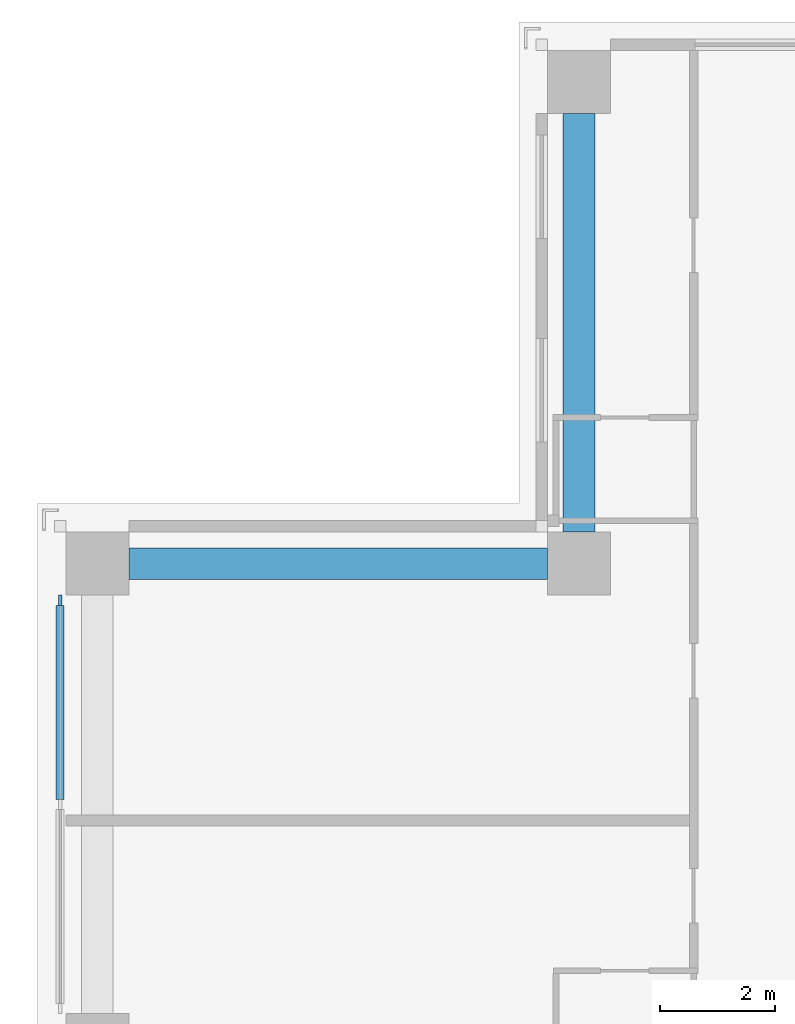
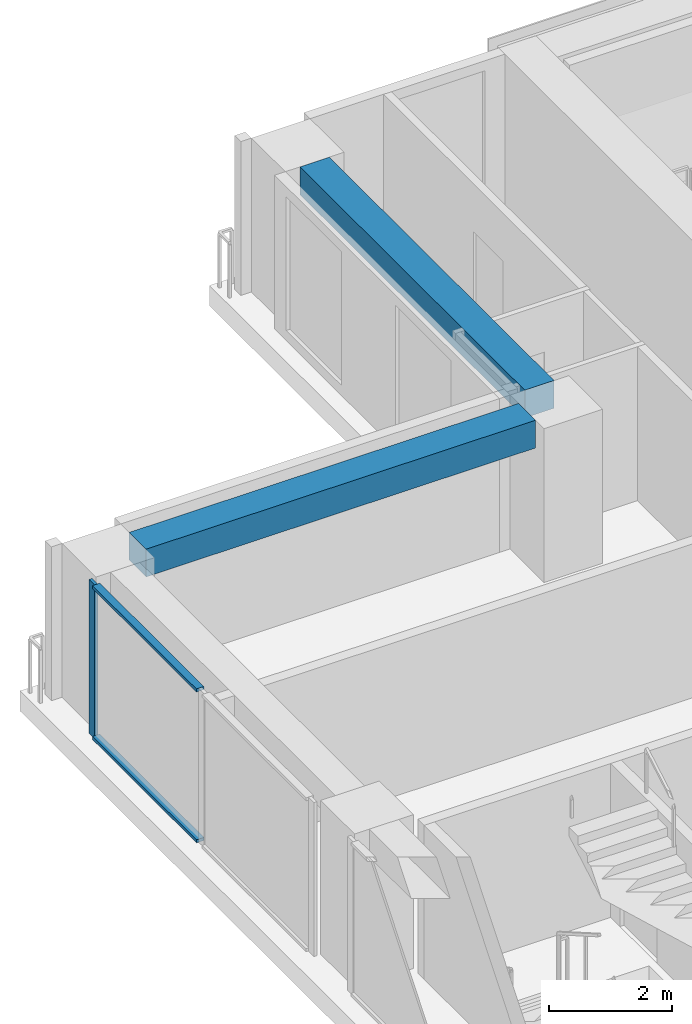
# One storey, part 6 of 16: 3 members, 2 beams, 1 element without a shape of its own.
"""IFC4 building model written with IfcOpenShell, lengths in metres."""

from ifc_helpers import new_model, si_unit, direction, frame, origin, origin_2d, place, context, subcontext, project, spatial, rectangle, extrude, material, material_profile, profile_set, type_object, element, aggregate, save


model = new_model("IFC4")

# Units and contexts
model_context = context("Model", 3, precision=1e-05, world=origin(), true_north=direction((0.0, 1.0)))
body_context = subcontext(model_context, "Body", "Model", "MODEL_VIEW")
ifc_project = project(units=[si_unit("LENGTHUNIT", "METRE"), si_unit("AREAUNIT", "SQUARE_METRE"), si_unit("VOLUMEUNIT", "CUBIC_METRE"), si_unit("PLANEANGLEUNIT", "RADIAN"), si_unit("MASSUNIT", "GRAM", prefix="KILO")], contexts=[model_context])

# Site, building, storey
site_placement = place(None, origin())
site = spatial("IfcSite", under=ifc_project, at=site_placement, CompositionType="ELEMENT")
building_placement = place(site_placement, origin())
building = spatial("IfcBuilding", under=site, at=building_placement, Name="Vermilion Ogive Tower", CompositionType="ELEMENT")
storey_placement = place(building_placement, frame((0.0, 0.0, 146.89990234375)))
storey = spatial("IfcBuildingStorey", under=building, at=storey_placement, Name="L37", CompositionType="ELEMENT", Elevation=146.89990234375)

# Curtain wall, members
ifc_material_1 = material(Name="Low-iron laminated glazing in aluminium frame", Category="aluminium")
curtain_wall_type = type_object("IfcCurtainWallType", Name="Curtain wall CW7", PredefinedType="NOTDEFINED", material=ifc_material_1)
curtain_wall_placement = place(storey_placement, origin())
curtain_wall = element("IfcCurtainWall", 1, at=curtain_wall_placement, inside=storey, type_object=curtain_wall_type, Name="Glazed skin W1", PredefinedType="NOTDEFINED")
ifc_material_2 = material(Name="Aluminium mullion", Category="aluminium")
ifc_material_profile_1 = material_profile(ifc_material_2, rectangle(XDim=0.06005859375, YDim=0.179931640625, at=origin_2d()), Name="AL 60x180")
ifc_profile_set_1 = profile_set([ifc_material_profile_1], Name="Aluminium mullion")
member_type_1 = type_object("IfcMemberType", Name="CW7 mullion 60x180", PredefinedType="MULLION", material=ifc_profile_set_1)
member_1_placement = place(storey_placement, frame((-21.64990234375, 11.9599609375, 0.0), z_axis=(0.0, 0.0, 1.0), x_axis=(1.0, 0.0, 0.0)))
member_1 = element("IfcMember", 2, at=member_1_placement, type_object=member_type_1, Name="CW7-W1 mullion 1", PredefinedType="MULLION", context=body_context, shape_type="SweptSolid", body=[
    extrude(rectangle(XDim=0.06005859375, YDim=0.179931640625, at=origin_2d()), origin(), (0.0, 0.0, 1.0), 3.050048828125),
])
ifc_material_3 = material(Name="Aluminium transom", Category="aluminium")
ifc_material_profile_2 = material_profile(ifc_material_3, rectangle(XDim=0.139892578125, YDim=0.06005859375, at=origin_2d()), Name="AL 60x140")
ifc_profile_set_2 = profile_set([ifc_material_profile_2], Name="Aluminium transom")
member_type_2 = type_object("IfcMemberType", Name="CW7 transom 60x140", PredefinedType="USERDEFINED", material=ifc_profile_set_2)
member_2_placement = place(storey_placement, frame((-21.64990234375, 11.8701171875, 0.030029296875), z_axis=(0.0, -1.0, 0.0), x_axis=(1.0, 0.0, 0.0)))
member_2 = element("IfcMember", 3, at=member_2_placement, type_object=member_type_2, Name="CW7-W1 transom 1.1", ObjectType="TRANSOM", PredefinedType="USERDEFINED", context=body_context, shape_type="SweptSolid", body=[
    extrude(rectangle(XDim=0.139892578125, YDim=0.06005859375, at=origin_2d()), origin(), (0.0, 0.0, 1.0), 3.380126953125),
])
member_3_placement = place(storey_placement, frame((-21.64990234375, 11.8701171875, 3.02001953125), z_axis=(0.0, -1.0, 0.0), x_axis=(1.0, 0.0, 0.0)))
member_3 = element("IfcMember", 4, at=member_3_placement, type_object=member_type_2, Name="CW7-W1 transom 1.2", ObjectType="TRANSOM", PredefinedType="USERDEFINED", context=body_context, shape_type="SweptSolid", body=[
    extrude(rectangle(XDim=0.139892578125, YDim=0.06005859375, at=origin_2d()), origin(), (0.0, 0.0, 1.0), 3.380126953125),
])
aggregate(curtain_wall, [member_1, member_2, member_3])

# Beams
ifc_material_4 = material(Name="Concrete B45", Category="concrete")
ifc_material_profile_3 = material_profile(ifc_material_4, rectangle(XDim=0.550048828125, YDim=0.550048828125, at=origin_2d()), Name="550 x 550")
ifc_profile_set_3 = profile_set([ifc_material_profile_3], Name="Concrete B45")
beam_type = type_object("IfcBeamType", Name="Edge beam 550 x 550 B45", PredefinedType="BEAM", material=ifc_profile_set_3)
for number, where, z_axis, x_axis, name in (
    (5, (-12.60009765625, 20.449951171875, 2.775146484375), (0.0, -1.0, 0.0), (1.0, 0.0, 0.0), "L37-EB-11"),
    (6, (-13.14990234375, 12.60009765625, 2.775146484375), (-1.0, 0.0, 0.0), (0.0, -1.0, 0.0), "L37-EB-12"),
):
    element("IfcBeam", number, at=place(storey_placement, frame(where, z_axis=z_axis, x_axis=x_axis)), inside=storey, type_object=beam_type, Name=name, PredefinedType="BEAM", context=body_context, shape_type="SweptSolid", body=[
        extrude(rectangle(XDim=0.550048828125, YDim=0.550048828125, at=origin_2d()), origin(), (0.0, 0.0, 1.0), 7.300048828125),
    ])

save(model, "model.ifc")
